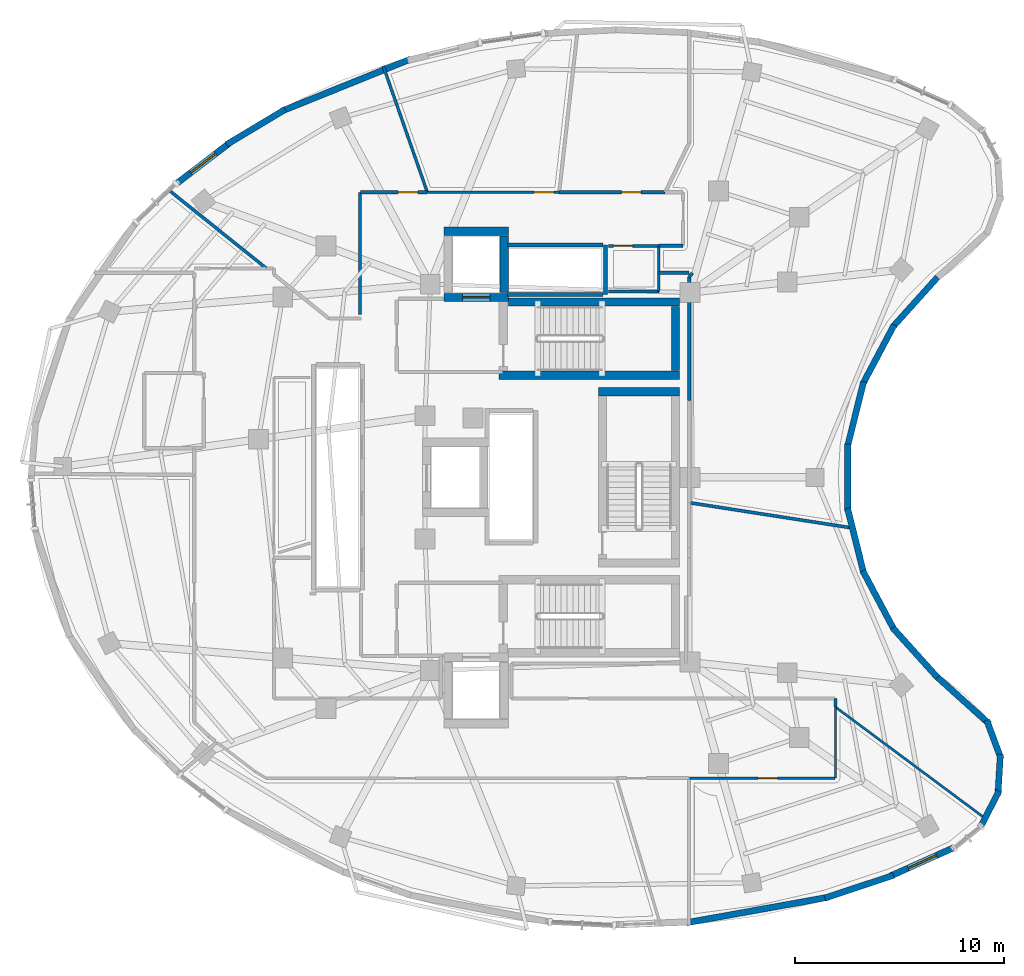
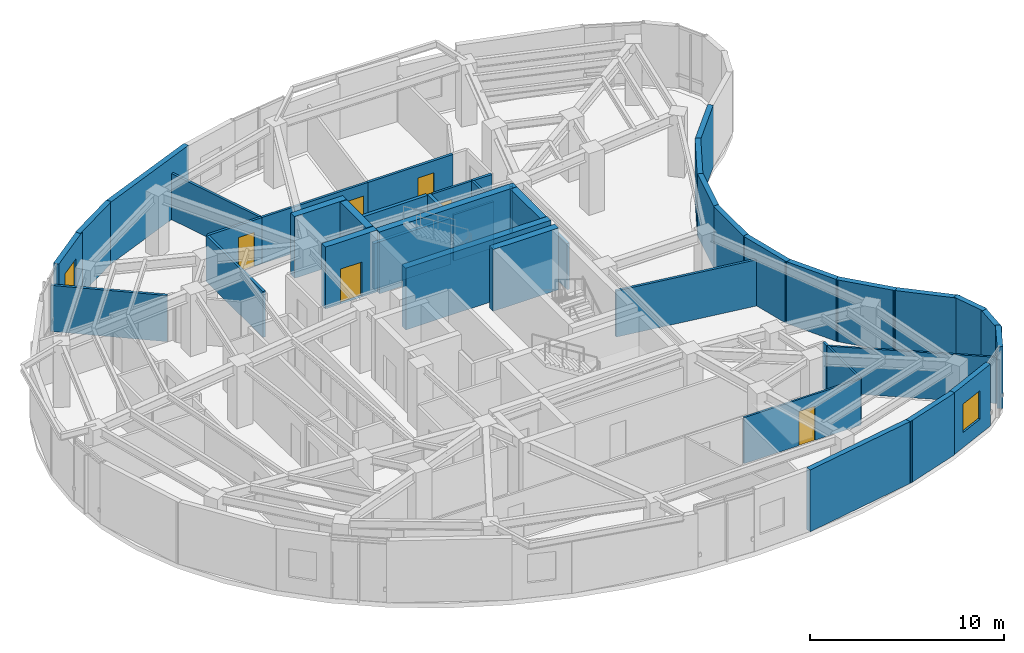
# One storey, part 9 of 13: 45 walls, 6 doors, 2 windows, 8 openings.
"""IFC4 building model written with IfcOpenShell, lengths in metres."""

from ifc_helpers import new_model, si_unit, direction, frame, frame_2d, origin, place, context, subcontext, project, spatial, rectangle, extrude, material, layer, layer_set, type_object, element, fill, save


model = new_model("IFC4")

# Units and contexts
model_context = context("Model", 3, precision=1e-05, world=origin(), true_north=direction((0.0, 1.0)))
body_context = subcontext(model_context, "Body", "Model", "MODEL_VIEW")
ifc_project = project(units=[si_unit("LENGTHUNIT", "METRE"), si_unit("AREAUNIT", "SQUARE_METRE"), si_unit("VOLUMEUNIT", "CUBIC_METRE"), si_unit("PLANEANGLEUNIT", "RADIAN"), si_unit("MASSUNIT", "GRAM", prefix="KILO")], contexts=[model_context])

# Site, building, storey
site_placement = place(None, origin())
site = spatial("IfcSite", under=ifc_project, at=site_placement, CompositionType="ELEMENT")
building_placement = place(site_placement, origin())
building = spatial("IfcBuilding", under=site, at=building_placement, Name="Korentha Bioscience Tower", CompositionType="ELEMENT")
storey_placement = place(building_placement, frame((0.0, 0.0, 243.60009765625)))
storey = spatial("IfcBuildingStorey", under=building, at=storey_placement, Name="L56", CompositionType="ELEMENT", Elevation=243.60009765625)

# Wall, opening, door
ifc_material_1 = material(Name="Double-Stud Acoustic Gypsum", Category="gypsum")
ifc_layer_1 = layer(ifc_material_1, 0.14990234375, Name="Double-Stud Acoustic Gypsum")
ifc_layer_set_1 = layer_set([ifc_layer_1], Name="Double-Stud Acoustic Gypsum (IW-L150)")
wall_type_1 = type_object("IfcWallType", Name="Acoustic Laboratory Partition Wall 150", PredefinedType="PARTITIONING", material=ifc_layer_set_1)
wall_1_placement = place(storey_placement, frame((36.34619140625, 40.659912109375, 0.0), z_axis=(0.0, 0.0, 1.0), x_axis=(-1.0, 0.0, 0.0)))
wall_1 = element("IfcWall", 1, at=wall_1_placement, inside=storey, type_object=wall_type_1, Name="L56 Immunology Flow-Cytometry Laboratory 08 Entrance Wall", PredefinedType="PARTITIONING", context=body_context, shape_type="SweptSolid", body=[
    extrude(rectangle(XDim=5.069580078125, YDim=0.14990234375, at=frame_2d((2.53466796875, 0.0))), origin(), (0.0, 0.0, 1.0), 2.909912109375),
])
opening_1_placement = place(wall_1_placement, frame((1.1396484375, 0.0, 0.0)))
opening_1 = element("IfcOpeningElement", 2, at=opening_1_placement, cuts=wall_1, Name="Opening ID-10R", PredefinedType="OPENING", context=body_context, shape_type="SweptSolid", body=[
    extrude(rectangle(XDim=0.949951171875, YDim=2.14990234375, at=frame_2d((0.47509765625, 1.074951171875))), frame((0.0, 0.08984375, 0.0), z_axis=(0.0, -1.0, 0.0), x_axis=(1.0, 0.0, 0.0)), (0.0, 0.0, 1.0), 0.1796875),
])
ifc_material_2 = material(Name="Phenolic Laminate Timber Core", Category="wood")
door_type_1 = type_object("IfcDoorType", Name="Laboratory Single Leaf Door 950x2150 Right", OperationType="SINGLE_SWING_RIGHT", PredefinedType="DOOR", material=ifc_material_2)
door_1_placement = place(opening_1_placement, origin())
door_1 = element("IfcDoor", 3, at=door_1_placement, inside=storey, type_object=door_type_1, Name="L56 Immunology Flow-Cytometry Laboratory 08 Door", OperationType="SINGLE_SWING_RIGHT", OverallHeight=2.14990234375, OverallWidth=0.949951171875, PredefinedType="DOOR", context=body_context, shape_type="SweptSolid", body=[
    extrude(rectangle(XDim=0.949951171875, YDim=2.14990234375, at=frame_2d((0.47509765625, 1.074951171875))), frame((0.0, 0.02490234375, 0.0), z_axis=(0.0, -1.0, 0.0), x_axis=(1.0, 0.0, 0.0)), (0.0, 0.0, 1.0), 0.050048828125),
])
fill(opening_1, door_1)

wall_2_placement = place(storey_placement, frame((24.9482421875, 40.659912109375, 0.0), z_axis=(0.0, 0.0, 1.0), x_axis=(-1.0, 0.0, 0.0)))
wall_2 = element("IfcWall", 4, at=wall_2_placement, inside=storey, type_object=wall_type_1, Name="L56 Lyophilization Freeze-Drying Room 10 Entrance Wall", PredefinedType="PARTITIONING", context=body_context, shape_type="SweptSolid", body=[
    extrude(rectangle(XDim=3.1982421875, YDim=0.14990234375, at=frame_2d((1.59912109375, 0.0))), origin(), (0.0, 0.0, 1.0), 2.909912109375),
])
opening_2_placement = place(wall_2_placement, frame((0.43701171875, 0.0, 0.0)))
opening_2 = element("IfcOpeningElement", 5, at=opening_2_placement, cuts=wall_2, Name="Opening ID-10R", PredefinedType="OPENING", context=body_context, shape_type="SweptSolid", body=[
    extrude(rectangle(XDim=0.949951171875, YDim=2.14990234375, at=frame_2d((0.47509765625, 1.074951171875))), frame((0.0, 0.08984375, 0.0), z_axis=(0.0, -1.0, 0.0), x_axis=(1.0, 0.0, 0.0)), (0.0, 0.0, 1.0), 0.1796875),
])
door_2_placement = place(opening_2_placement, origin())
door_2 = element("IfcDoor", 6, at=door_2_placement, inside=storey, type_object=door_type_1, Name="L56 Lyophilization Freeze-Drying Room 10 Door", OperationType="SINGLE_SWING_RIGHT", OverallHeight=2.14990234375, OverallWidth=0.949951171875, PredefinedType="DOOR", context=body_context, shape_type="SweptSolid", body=[
    extrude(rectangle(XDim=0.949951171875, YDim=2.14990234375, at=frame_2d((0.47509765625, 1.074951171875))), frame((0.0, 0.02490234375, 0.0), z_axis=(0.0, -1.0, 0.0), x_axis=(1.0, 0.0, 0.0)), (0.0, 0.0, 1.0), 0.050048828125),
])
fill(opening_2, door_2)

# Walls
wall_3_placement = place(storey_placement, frame((37.502197265625, 25.7900390625, 0.0), z_axis=(0.0, 0.0, 1.0), x_axis=(0.988150450313, -0.15348839548, 0.0)))
element("IfcWall", 7, at=wall_3_placement, inside=storey, type_object=wall_type_1, Name="L56 Interior Partition 044", PredefinedType="PARTITIONING", context=body_context, shape_type="SweptSolid", body=[
    extrude(rectangle(XDim=7.97216796875, YDim=0.14990234375, at=frame_2d((3.986083984375, 0.0))), origin(), (0.0, 0.0, 1.0), 2.909912109375),
])
wall_4_placement = place(storey_placement, frame((44.510009765625, 16.010009765625, 0.0), z_axis=(0.0, 0.0, 1.0), x_axis=(0.0, 1.0, 0.0)))
element("IfcWall", 8, at=wall_4_placement, inside=storey, type_object=wall_type_1, Name="L56 Interior Partition 045", PredefinedType="PARTITIONING", context=body_context, shape_type="SweptSolid", body=[
    extrude(rectangle(XDim=0.389892578125, YDim=0.14990234375, at=frame_2d((0.19482421875, 0.0))), origin(), (0.0, 0.0, 1.0), 2.909912109375),
])
wall_5_placement = place(storey_placement, frame((21.739990234375, 40.64990234375, 0.0), z_axis=(0.0, 0.0, 1.0), x_axis=(0.0, -1.0, 0.0)))
element("IfcWall", 9, at=wall_5_placement, inside=storey, type_object=wall_type_1, Name="L56 Interior Partition 057", PredefinedType="PARTITIONING", context=body_context, shape_type="SweptSolid", body=[
    extrude(rectangle(XDim=5.849853515625, YDim=0.14990234375, at=frame_2d((2.9248046875, 0.0))), origin(), (0.0, 0.0, 1.0), 2.909912109375),
])
wall_6_placement = place(storey_placement, frame((17.2529296875, 37.010009765625, 0.0), z_axis=(0.0, 0.0, 1.0), x_axis=(-0.779948830135, 0.625843288987, 0.0)))
element("IfcWall", 10, at=wall_6_placement, inside=storey, type_object=wall_type_1, Name="L56 Interior Partition 062", PredefinedType="PARTITIONING", context=body_context, shape_type="SweptSolid", body=[
    extrude(rectangle(XDim=6.08984375, YDim=0.14990234375, at=frame_2d((3.044921875, 0.0))), origin(), (0.0, 0.0, 1.0), 2.909912109375),
])

# Wall, opening, door
ifc_material_3 = material(Name="Insulated Aluminium Honeycomb Panel", Category="aluminium")
ifc_layer_2 = layer(ifc_material_3, 0.139892578125, Name="Insulated Aluminium Honeycomb Panel")
ifc_layer_set_2 = layer_set([ifc_layer_2], Name="Insulated Aluminium Honeycomb Panel (IW-F60)")
wall_type_2 = type_object("IfcWallType", Name="Cleanroom Flush Metal Panel Partition 140", PredefinedType="PARTITIONING", material=ifc_layer_set_2)
wall_7_placement = place(storey_placement, frame((31.2666015625, 40.659912109375, 0.0), z_axis=(0.0, 0.0, 1.0), x_axis=(-1.0, 0.0, 0.0)))
wall_7 = element("IfcWall", 11, at=wall_7_placement, inside=storey, type_object=wall_type_2, Name="L56 Vaccine Formulation Cleanroom 09 Entrance Wall", PredefinedType="PARTITIONING", context=body_context, shape_type="SweptSolid", body=[
    extrude(rectangle(XDim=6.307861328125, YDim=0.139892578125, at=frame_2d((3.15380859375, 0.0))), origin(), (0.0, 0.0, 1.0), 2.909912109375),
])
opening_3_placement = place(wall_7_placement, frame((0.239990234375, 0.0, 0.0)))
opening_3 = element("IfcOpeningElement", 12, at=opening_3_placement, cuts=wall_7, Name="Opening ID-10L", PredefinedType="OPENING", context=body_context, shape_type="SweptSolid", body=[
    extrude(rectangle(XDim=0.949951171875, YDim=2.14990234375, at=frame_2d((0.47509765625, 1.074951171875))), frame((0.0, 0.0849609375, 0.0), z_axis=(0.0, -1.0, 0.0), x_axis=(1.0, 0.0, 0.0)), (0.0, 0.0, 1.0), 0.169677734375),
])
door_type_2 = type_object("IfcDoorType", Name="Laboratory Single Leaf Door 950x2150 Left", OperationType="SINGLE_SWING_LEFT", PredefinedType="DOOR", material=ifc_material_2)
door_3_placement = place(opening_3_placement, origin())
door_3 = element("IfcDoor", 13, at=door_3_placement, inside=storey, type_object=door_type_2, Name="L56 Vaccine Formulation Cleanroom 09 Door", OperationType="SINGLE_SWING_LEFT", OverallHeight=2.14990234375, OverallWidth=0.949951171875, PredefinedType="DOOR", context=body_context, shape_type="SweptSolid", body=[
    extrude(rectangle(XDim=0.949951171875, YDim=2.14990234375, at=frame_2d((0.47509765625, 1.074951171875))), frame((0.0, 0.02490234375, 0.0), z_axis=(0.0, -1.0, 0.0), x_axis=(1.0, 0.0, 0.0)), (0.0, 0.0, 1.0), 0.050048828125),
])
fill(opening_3, door_3)

# Wall
wall_8_placement = place(storey_placement, frame((24.958740234375, 40.659912109375, 0.0), z_axis=(0.0, 0.0, 1.0), x_axis=(-0.329537269445, 0.944142567649, 0.0)))
element("IfcWall", 14, at=wall_8_placement, inside=storey, type_object=wall_type_2, Name="L56 Interior Partition 056", PredefinedType="PARTITIONING", context=body_context, shape_type="SweptSolid", body=[
    extrude(rectangle(XDim=6.406982421875, YDim=0.139892578125, at=frame_2d((3.20361328125, 0.0))), origin(), (0.0, 0.0, 1.0), 2.909912109375),
])

# Wall, opening, door
ifc_material_4 = material(Name="Fire-Rated Framed Glass", Category="glass")
ifc_layer_3 = layer(ifc_material_4, 0.110107421875, Name="Fire-Rated Framed Glass")
ifc_layer_set_3 = layer_set([ifc_layer_3], Name="Fire-Rated Framed Glass (IW-G110)")
wall_type_3 = type_object("IfcWallType", Name="Demountable Glazed Office Partition 110", PredefinedType="MOVABLE", material=ifc_layer_set_3)
wall_9_placement = place(storey_placement, frame((37.508056640625, 12.590087890625, 0.0), z_axis=(0.0, 0.0, 1.0), x_axis=(1.0, 0.0, 0.0)))
wall_9 = element("IfcWall", 15, at=wall_9_placement, inside=storey, type_object=wall_type_3, Name="L56 Grant Review Seminar Room 05 Entrance Wall", PredefinedType="MOVABLE", context=body_context, shape_type="SweptSolid", body=[
    extrude(rectangle(XDim=6.991943359375, YDim=0.110107421875, at=frame_2d((3.49609375, 0.0))), origin(), (0.0, 0.0, 1.0), 2.909912109375),
])
opening_4_placement = place(wall_9_placement, frame((3.28369140625, 0.0, 0.0)))
opening_4 = element("IfcOpeningElement", 16, at=opening_4_placement, cuts=wall_9, Name="Opening ID-10L", PredefinedType="OPENING", context=body_context, shape_type="SweptSolid", body=[
    extrude(rectangle(XDim=0.949951171875, YDim=2.14990234375, at=frame_2d((0.47509765625, 1.074951171875))), frame((0.0, 0.06982421875, 0.0), z_axis=(0.0, -1.0, 0.0), x_axis=(1.0, 0.0, 0.0)), (0.0, 0.0, 1.0), 0.139892578125),
])
door_4_placement = place(opening_4_placement, origin())
door_4 = element("IfcDoor", 17, at=door_4_placement, inside=storey, type_object=door_type_2, Name="L56 Grant Review Seminar Room 05 Door", OperationType="SINGLE_SWING_LEFT", OverallHeight=2.14990234375, OverallWidth=0.949951171875, PredefinedType="DOOR", context=body_context, shape_type="SweptSolid", body=[
    extrude(rectangle(XDim=0.949951171875, YDim=2.14990234375, at=frame_2d((0.47509765625, 1.074951171875))), frame((0.0, 0.02490234375, 0.0), z_axis=(0.0, -1.0, 0.0), x_axis=(1.0, 0.0, 0.0)), (0.0, 0.0, 1.0), 0.050048828125),
])
fill(opening_4, door_4)

# Walls
wall_10_placement = place(storey_placement, frame((44.510009765625, 12.60009765625, 0.0), z_axis=(0.0, 0.0, 1.0), x_axis=(0.0, 1.0, 0.0)))
element("IfcWall", 18, at=wall_10_placement, inside=storey, type_object=wall_type_3, Name="L56 Interior Partition 037", PredefinedType="MOVABLE", context=body_context, shape_type="SweptSolid", body=[
    extrude(rectangle(XDim=3.39990234375, YDim=0.110107421875, at=frame_2d((1.699951171875, 0.0))), origin(), (0.0, 0.0, 1.0), 2.909912109375),
])
wall_11_placement = place(storey_placement, frame((44.510009765625, 16.0, 0.0), z_axis=(0.0, 0.0, 1.0), x_axis=(0.802375580178, -0.596819426907, 0.0)))
element("IfcWall", 19, at=wall_11_placement, inside=storey, type_object=wall_type_3, Name="L56 Interior Partition 038", PredefinedType="MOVABLE", context=body_context, shape_type="SweptSolid", body=[
    extrude(rectangle(XDim=9.052734375, YDim=0.110107421875, at=frame_2d((4.5263671875, 0.0))), origin(), (0.0, 0.0, 1.0), 2.909912109375),
])
ifc_material_5 = material(Name="Gypsum-Clad Steel Stud", Category="steel")
ifc_layer_4 = layer(ifc_material_5, 0.159912109375, Name="Gypsum-Clad Steel Stud")
ifc_layer_set_4 = layer_set([ifc_layer_4], Name="Gypsum-Clad Steel Stud (IW-C160)")
wall_type_4 = type_object("IfcWallType", Name="Fire-Rated Corridor Partition Wall 160", PredefinedType="PARTITIONING", material=ifc_layer_set_4)
wall_12_placement = place(storey_placement, frame((37.501953125, 30.676025390625, 0.0), z_axis=(0.0, 0.0, 1.0), x_axis=(0.0, 1.0, 0.0)))
element("IfcWall", 20, at=wall_12_placement, inside=storey, type_object=wall_type_4, Name="L56 Interior Partition 049", PredefinedType="PARTITIONING", context=body_context, shape_type="SweptSolid", body=[
    extrude(rectangle(XDim=5.92431640625, YDim=0.159912109375, at=frame_2d((2.962158203125, 0.0))), origin(), (0.0, 0.0, 1.0), 2.909912109375),
])
wall_13_placement = place(storey_placement, frame((37.502197265625, 36.6005859375, 0.0), z_axis=(0.0, 0.0, 1.0), x_axis=(0.629198228668, 0.777244870707, 0.0)))
element("IfcWall", 21, at=wall_13_placement, inside=storey, type_object=wall_type_4, Name="L56 Interior Partition 050", PredefinedType="PARTITIONING", context=body_context, shape_type="SweptSolid", body=[
    extrude(rectangle(XDim=0.250732421875, YDim=0.159912109375, at=frame_2d((0.12548828125, 0.0))), origin(), (0.0, 0.0, 1.0), 2.909912109375),
])
wall_14_placement = place(storey_placement, frame((37.497802734375, 36.802001953125, 0.0), z_axis=(0.0, 0.0, 1.0), x_axis=(-1.0, 0.0, 0.0)))
element("IfcWall", 22, at=wall_14_placement, inside=storey, type_object=wall_type_4, Name="L56 Interior Partition 051", PredefinedType="PARTITIONING", context=body_context, shape_type="SweptSolid", body=[
    extrude(rectangle(XDim=1.437744140625, YDim=0.159912109375, at=frame_2d((0.71875, 0.0))), origin(), (0.0, 0.0, 1.0), 2.909912109375),
])
wall_15_placement = place(storey_placement, frame((36.06005859375, 38.090087890625, 0.0), z_axis=(0.0, 0.0, 1.0), x_axis=(1.0, 0.0, 0.0)))
element("IfcWall", 23, at=wall_15_placement, inside=storey, type_object=wall_type_4, Name="L56 Interior Partition 052", PredefinedType="PARTITIONING", context=body_context, shape_type="SweptSolid", body=[
    extrude(rectangle(XDim=1.139892578125, YDim=0.159912109375, at=frame_2d((0.56982421875, 0.0))), origin(), (0.0, 0.0, 1.0), 2.909912109375),
])

# Wall, opening, window
ifc_material_6 = material(Name="Honed Limestone Precast Concrete C40", Category="masonry")
ifc_layer_5 = layer(ifc_material_6, 0.300048828125, Name="Honed Limestone Precast Concrete C40")
ifc_layer_set_5 = layer_set([ifc_layer_5], Name="Honed Limestone Precast Concrete C40 (EW-ST300)")
wall_type_5 = type_object("IfcWallType", Name="Honed Limestone Cavity Spandrel Wall 300", PredefinedType="STANDARD", material=ifc_layer_set_5)
wall_16_placement = place(storey_placement, frame((15.476806640625, 43.0126953125, 0.0), z_axis=(0.0, 0.0, 1.0), x_axis=(-0.794379815394, -0.607421360255, 0.0)))
wall_16 = element("IfcWall", 24, at=wall_16_placement, inside=storey, type_object=wall_type_5, Name="L56 Honed Limestone Spandrel Wall 12", PredefinedType="STANDARD", context=body_context, shape_type="SweptSolid", body=[
    extrude(rectangle(XDim=3.15234375, YDim=0.300048828125, at=frame_2d((1.576171875, 0.0))), origin(), (0.0, 0.0, 1.0), 3.89990234375),
])
opening_5_placement = place(wall_16_placement, frame((0.826171875, 0.0, 0.949951171875)))
opening_5 = element("IfcOpeningElement", 25, at=opening_5_placement, cuts=wall_16, Name="Opening WN-02", PredefinedType="OPENING", context=body_context, shape_type="SweptSolid", body=[
    extrude(rectangle(XDim=1.5, YDim=1.800048828125, at=frame_2d((0.75, 0.89990234375))), frame((0.0, 0.1650390625, 0.0), z_axis=(0.0, -1.0, 0.0), x_axis=(1.0, 0.0, 0.0)), (0.0, 0.0, 1.0), 0.329833984375),
])
ifc_material_7 = material(Name="Thermally Broken Aluminium Triple Glazing", Category="aluminium")
window_type = type_object("IfcWindowType", Name="Acoustic Operable Office Window 1500x1800", PartitioningType="DOUBLE_PANEL_VERTICAL", PredefinedType="WINDOW", material=ifc_material_7)
window_1_placement = place(opening_5_placement, origin())
window_1 = element("IfcWindow", 26, at=window_1_placement, inside=storey, type_object=window_type, Name="L56 Facade Window 12", OverallHeight=1.800048828125, OverallWidth=1.5, PartitioningType="DOUBLE_PANEL_VERTICAL", PredefinedType="WINDOW", context=body_context, shape_type="SweptSolid", body=[
    extrude(rectangle(XDim=1.5, YDim=1.800048828125, at=frame_2d((0.75, 0.89990234375))), frame((0.0, 0.030029296875, 0.0), z_axis=(0.0, -1.0, 0.0), x_axis=(1.0, 0.0, 0.0)), (0.0, 0.0, 1.0), 0.06005859375),
])
fill(opening_5, window_1)

wall_17_placement = place(storey_placement, frame((47.14404296875, 7.900146484375, 0.0), z_axis=(0.0, 0.0, 1.0), x_axis=(0.912628527323, 0.40878988627, 0.0)))
wall_17 = element("IfcWall", 27, at=wall_17_placement, inside=storey, type_object=wall_type_5, Name="L56 Honed Limestone Spandrel Wall 36", PredefinedType="STANDARD", context=body_context, shape_type="SweptSolid", body=[
    extrude(rectangle(XDim=3.346923828125, YDim=0.300048828125, at=frame_2d((1.67333984375, 0.0))), origin(), (0.0, 0.0, 1.0), 3.89990234375),
])
opening_6_placement = place(wall_17_placement, frame((0.923583984375, 0.0, 0.949951171875)))
opening_6 = element("IfcOpeningElement", 28, at=opening_6_placement, cuts=wall_17, Name="Opening WN-02", PredefinedType="OPENING", context=body_context, shape_type="SweptSolid", body=[
    extrude(rectangle(XDim=1.5, YDim=1.800048828125, at=frame_2d((0.75, 0.89990234375))), frame((0.0, 0.1650390625, 0.0), z_axis=(0.0, -1.0, 0.0), x_axis=(1.0, 0.0, 0.0)), (0.0, 0.0, 1.0), 0.329833984375),
])
window_2_placement = place(opening_6_placement, origin())
window_2 = element("IfcWindow", 29, at=window_2_placement, inside=storey, type_object=window_type, Name="L56 Facade Window 36", OverallHeight=1.800048828125, OverallWidth=1.5, PartitioningType="DOUBLE_PANEL_VERTICAL", PredefinedType="WINDOW", context=body_context, shape_type="SweptSolid", body=[
    extrude(rectangle(XDim=1.5, YDim=1.800048828125, at=frame_2d((0.75, 0.89990234375))), frame((0.0, 0.030029296875, 0.0), z_axis=(0.0, -1.0, 0.0), x_axis=(1.0, 0.0, 0.0)), (0.0, 0.0, 1.0), 0.06005859375),
])
fill(opening_6, window_2)

# Walls
wall_18_placement = place(storey_placement, frame((24.169677734375, 47.044921875, 0.0), z_axis=(0.0, 0.0, 1.0), x_axis=(-0.927372969182, -0.374138177725, 0.0)))
element("IfcWall", 30, at=wall_18_placement, inside=storey, type_object=wall_type_5, Name="L56 Limestone Perimeter Closure Wall 09", PredefinedType="STANDARD", context=body_context, shape_type="SweptSolid", body=[
    extrude(rectangle(XDim=6.660400390625, YDim=0.300048828125, at=frame_2d((3.330078125, 0.0))), origin(), (0.0, 0.0, 1.0), 3.89990234375),
])
wall_19_placement = place(storey_placement, frame((18.1552734375, 44.6337890625, 0.0), z_axis=(0.0, 0.0, 1.0), x_axis=(-0.857525678966, -0.514441162732, 0.0)))
element("IfcWall", 31, at=wall_19_placement, inside=storey, type_object=wall_type_5, Name="L56 Limestone Perimeter Closure Wall 11", PredefinedType="STANDARD", context=body_context, shape_type="SweptSolid", body=[
    extrude(rectangle(XDim=3.288330078125, YDim=0.300048828125, at=frame_2d((1.64404296875, 0.0))), origin(), (0.0, 0.0, 1.0), 3.89990234375),
])
wall_20_placement = place(storey_placement, frame((37.385009765625, 5.666015625, 0.0), z_axis=(0.0, 0.0, 1.0), x_axis=(0.984214602488, 0.176979140719, 0.0)))
element("IfcWall", 32, at=wall_20_placement, inside=storey, type_object=wall_type_5, Name="L56 Limestone Perimeter Closure Wall 33", PredefinedType="STANDARD", context=body_context, shape_type="SweptSolid", body=[
    extrude(rectangle(XDim=6.909912109375, YDim=0.300048828125, at=frame_2d((3.455078125, 0.0))), origin(), (0.0, 0.0, 1.0), 3.89990234375),
])
wall_21_placement = place(storey_placement, frame((44.01171875, 6.8447265625, 0.0), z_axis=(0.0, 0.0, 1.0), x_axis=(0.948915825892, 0.315529325692, 0.0)))
element("IfcWall", 33, at=wall_21_placement, inside=storey, type_object=wall_type_5, Name="L56 Limestone Perimeter Closure Wall 35", PredefinedType="STANDARD", context=body_context, shape_type="SweptSolid", body=[
    extrude(rectangle(XDim=3.4609375, YDim=0.300048828125, at=frame_2d((1.73046875, 0.0))), origin(), (0.0, 0.0, 1.0), 3.89990234375),
])
wall_22_placement = place(storey_placement, frame((51.45263671875, 10.227783203125, 0.0), z_axis=(0.0, 0.0, 1.0), x_axis=(0.45760880089, 0.889153634277, 0.0)))
element("IfcWall", 34, at=wall_22_placement, inside=storey, type_object=wall_type_5, Name="L56 Limestone Perimeter Closure Wall 38", PredefinedType="STANDARD", context=body_context, shape_type="SweptSolid", body=[
    extrude(rectangle(XDim=1.967041015625, YDim=0.300048828125, at=frame_2d((0.9833984375, 0.0))), origin(), (0.0, 0.0, 1.0), 3.89990234375),
])
for number, where, z_axis, x_axis, name in (
    (35, (52.2958984375, 11.770263671875, 0.0), (0.0, 0.0, 1.0), (0.060191547909, 0.998186845015, 0.0), "L56 Limestone Perimeter Closure Wall 39"),
    (36, (52.44580078125, 13.521728515625, 0.0), (0.0, 0.0, 1.0), (-0.347476023118, 0.9376888681, 0.0), "L56 Limestone Perimeter Closure Wall 40"),
):
    element("IfcWall", number, at=place(storey_placement, frame(where, z_axis=z_axis, x_axis=x_axis)), inside=storey, type_object=wall_type_5, Name=name, PredefinedType="STANDARD", context=body_context, shape_type="SweptSolid", body=[
        extrude(rectangle(XDim=1.96728515625, YDim=0.300048828125, at=frame_2d((0.983642578125, 0.0))), origin(), (0.0, 0.0, 1.0), 3.89990234375),
    ])
wall_23_placement = place(storey_placement, frame((51.886962890625, 15.1826171875, 0.0), z_axis=(0.0, 0.0, 1.0), x_axis=(-0.742603888691, 0.669730889612, 0.0)))
element("IfcWall", 37, at=wall_23_placement, inside=storey, type_object=wall_type_5, Name="L56 Limestone Perimeter Closure Wall 41", PredefinedType="STANDARD", context=body_context, shape_type="SweptSolid", body=[
    extrude(rectangle(XDim=3.484130859375, YDim=0.300048828125, at=frame_2d((1.7421875, 0.0))), origin(), (0.0, 0.0, 1.0), 3.89990234375),
])
wall_24_placement = place(storey_placement, frame((49.40234375, 17.413330078125, 0.0), z_axis=(0.0, 0.0, 1.0), x_axis=(-0.669137170675, 0.743138914888, 0.0)))
element("IfcWall", 38, at=wall_24_placement, inside=storey, type_object=wall_type_5, Name="L56 Limestone Perimeter Closure Wall 43", PredefinedType="STANDARD", context=body_context, shape_type="SweptSolid", body=[
    extrude(rectangle(XDim=3.206787109375, YDim=0.300048828125, at=frame_2d((1.603515625, 0.0))), origin(), (0.0, 0.0, 1.0), 3.89990234375),
])
for number, where, z_axis, x_axis, name in (
    (39, (47.328125, 19.694091796875, 0.0), (0.0, 0.0, 1.0), (-0.469457656924, 0.882954986596, 0.0), "L56 Limestone Perimeter Closure Wall 45"),
    (40, (45.867431640625, 22.4091796875, 0.0), (0.0, 0.0, 1.0), (-0.241890637233, 0.970303519327, 0.0), "L56 Limestone Perimeter Closure Wall 47"),
    (41, (45.10693359375, 25.396728515625, 0.0), (0.0, 0.0, 1.0), (0.0, 1.0, 0.0), "L56 Limestone Perimeter Closure Wall 49"),
    (42, (45.091796875, 28.4794921875, 0.0), (0.0, 0.0, 1.0), (0.241890637233, 0.970303519327, 0.0), "L56 Limestone Perimeter Closure Wall 51"),
    (43, (45.82275390625, 31.474609375, 0.0), (0.0, 0.0, 1.0), (0.469457656924, 0.882954986596, 0.0), "L56 Limestone Perimeter Closure Wall 53"),
):
    element("IfcWall", number, at=place(storey_placement, frame(where, z_axis=z_axis, x_axis=x_axis)), inside=storey, type_object=wall_type_5, Name=name, PredefinedType="STANDARD", context=body_context, shape_type="SweptSolid", body=[
        extrude(rectangle(XDim=3.20654296875, YDim=0.300048828125, at=frame_2d((1.603271484375, 0.0))), origin(), (0.0, 0.0, 1.0), 3.89990234375),
    ])
wall_25_placement = place(storey_placement, frame((47.256591796875, 34.20361328125, 0.0), z_axis=(0.0, 0.0, 1.0), x_axis=(0.669137170675, 0.743138914888, 0.0)))
element("IfcWall", 44, at=wall_25_placement, inside=storey, type_object=wall_type_5, Name="L56 Limestone Perimeter Closure Wall 55", PredefinedType="STANDARD", context=body_context, shape_type="SweptSolid", body=[
    extrude(rectangle(XDim=3.206787109375, YDim=0.300048828125, at=frame_2d((1.603515625, 0.0))), origin(), (0.0, 0.0, 1.0), 3.89990234375),
])
ifc_material_8 = material(Name="Autoclaved Aerated Concrete Block C25", Category="concrete")
ifc_layer_6 = layer(ifc_material_8, 0.199951171875, Name="Autoclaved Aerated Concrete Block C25")
ifc_layer_set_6 = layer_set([ifc_layer_6], Name="Autoclaved Aerated Concrete Block C25 (IW-S200)")
wall_type_6 = type_object("IfcWallType", Name="Lift and Riser Shaft Enclosure Wall 200", PredefinedType="PARTITIONING", material=ifc_layer_set_6)
wall_26_placement = place(storey_placement, frame((33.489990234375, 35.760009765625, 0.0), z_axis=(0.0, 0.0, 1.0), x_axis=(0.0, 1.0, 0.0)))
element("IfcWall", 45, at=wall_26_placement, inside=storey, type_object=wall_type_6, Name="L56 Lift Bank OBS Shaft Wall +X", PredefinedType="PARTITIONING", context=body_context, shape_type="SweptSolid", body=[
    extrude(rectangle(XDim=2.3798828125, YDim=0.199951171875, at=frame_2d((1.18994140625, 0.0))), origin(), (0.0, 0.0, 1.0), 2.909912109375),
])
for number, where, z_axis, x_axis, name in (
    (46, (28.800048828125, 35.760009765625, 0.0), (0.0, 0.0, 1.0), (1.0, 0.0, 0.0), "L56 Lift Bank OBS Shaft Wall -Y"),
    (47, (28.800048828125, 38.139892578125, 0.0), (0.0, 0.0, 1.0), (1.0, 0.0, 0.0), "L56 Lift Bank OBS Shaft Wall +Y"),
):
    element("IfcWall", number, at=place(storey_placement, frame(where, z_axis=z_axis, x_axis=x_axis)), inside=storey, type_object=wall_type_6, Name=name, PredefinedType="PARTITIONING", context=body_context, shape_type="SweptSolid", body=[
        extrude(rectangle(XDim=4.570068359375, YDim=0.199951171875, at=frame_2d((2.28515625, 0.0))), origin(), (0.0, 0.0, 1.0), 2.909912109375),
    ])
ifc_material_9 = material(Name="Concrete C65", Category="concrete")
ifc_layer_7 = layer(ifc_material_9, 0.39990234375, Name="Concrete C65")
ifc_layer_set_7 = layer_set([ifc_layer_7], Name="Concrete C65 (CW-C65)")
wall_type_7 = type_object("IfcWallType", Name="Mid-Rise Core Shear Wall 400", PredefinedType="SHEAR", material=ifc_layer_set_7)
wall_27_placement = place(storey_placement, frame((28.85205078125, 35.39990234375, 0.0), z_axis=(0.0, 0.0, 1.0), x_axis=(1.0, 0.0, 0.0)))
element("IfcWall", 48, at=wall_27_placement, inside=storey, type_object=wall_type_7, Name="L56 Core Shear Wall ST1-N", PredefinedType="SHEAR", context=body_context, shape_type="SweptSolid", body=[
    extrude(rectangle(XDim=8.197998046875, YDim=0.39990234375, at=frame_2d((4.09912109375, 0.0))), origin(), (0.0, 0.0, 1.0), 3.89990234375),
])
wall_28_placement = place(storey_placement, frame((28.39990234375, 31.89990234375, 0.0), z_axis=(0.0, 0.0, 1.0), x_axis=(1.0, 0.0, 0.0)))
element("IfcWall", 49, at=wall_28_placement, inside=storey, type_object=wall_type_7, Name="L56 Core Shear Wall ST1-S", PredefinedType="SHEAR", context=body_context, shape_type="SweptSolid", body=[
    extrude(rectangle(XDim=8.650146484375, YDim=0.39990234375, at=frame_2d((4.3251953125, 0.0))), origin(), (0.0, 0.0, 1.0), 3.89990234375),
])
wall_29_placement = place(storey_placement, frame((36.85009765625, 32.110107421875, 0.0), z_axis=(0.0, 0.0, 1.0), x_axis=(0.0, 1.0, 0.0)))
element("IfcWall", 50, at=wall_29_placement, inside=storey, type_object=wall_type_7, Name="L56 Core Shear Wall ST1-E", PredefinedType="SHEAR", context=body_context, shape_type="SweptSolid", body=[
    extrude(rectangle(XDim=3.079833984375, YDim=0.39990234375, at=frame_2d((1.5400390625, 0.0))), origin(), (0.0, 0.0, 1.0), 3.89990234375),
])
wall_30_placement = place(storey_placement, frame((33.14990234375, 31.10009765625, 0.0), z_axis=(0.0, 0.0, 1.0), x_axis=(1.0, 0.0, 0.0)))
element("IfcWall", 51, at=wall_30_placement, inside=storey, type_object=wall_type_7, Name="L56 Core Shear Wall ST3-N", PredefinedType="SHEAR", context=body_context, shape_type="SweptSolid", body=[
    extrude(rectangle(XDim=3.900146484375, YDim=0.39990234375, at=frame_2d((1.9501953125, 0.0))), origin(), (0.0, 0.0, 1.0), 3.89990234375),
])
wall_31_placement = place(storey_placement, frame((25.75, 38.800048828125, 0.0), z_axis=(0.0, 0.0, 1.0), x_axis=(1.0, 0.0, 0.0)))
element("IfcWall", 52, at=wall_31_placement, inside=storey, type_object=wall_type_7, Name="L56 Core Shear Wall FFL2-N", PredefinedType="SHEAR", context=body_context, shape_type="SweptSolid", body=[
    extrude(rectangle(XDim=3.10009765625, YDim=0.39990234375, at=frame_2d((1.550048828125, 0.0))), origin(), (0.0, 0.0, 1.0), 3.89990234375),
])

# Wall, opening, door
wall_32_placement = place(storey_placement, frame((25.75, 35.6201171875, 0.0), z_axis=(0.0, 0.0, 1.0), x_axis=(1.0, 0.0, 0.0)))
wall_32 = element("IfcWall", 53, at=wall_32_placement, inside=storey, type_object=wall_type_7, Name="L56 Core Shear Wall FFL2-S", PredefinedType="SHEAR", context=body_context, shape_type="SweptSolid", body=[
    extrude(rectangle(XDim=3.10009765625, YDim=0.39990234375, at=frame_2d((1.550048828125, 0.0))), origin(), (0.0, 0.0, 1.0), 3.89990234375),
])
opening_7_placement = place(wall_32_placement, frame((0.89990234375, 0.0, 0.0)))
opening_7 = element("IfcOpeningElement", 54, at=opening_7_placement, cuts=wall_32, Name="Opening LD-13", PredefinedType="OPENING", context=body_context, shape_type="SweptSolid", body=[
    extrude(rectangle(XDim=1.300048828125, YDim=2.199951171875, at=frame_2d((0.64990234375, 1.10009765625))), frame((0.0, 0.21484375, 0.0), z_axis=(0.0, -1.0, 0.0), x_axis=(1.0, 0.0, 0.0)), (0.0, 0.0, 1.0), 0.4296875),
])
ifc_material_10 = material(Name="Brushed Stainless Steel 316", Category="steel")
door_type_3 = type_object("IfcDoorType", Name="Service & Firefighting Lift Landing Door 1300x2300", OperationType="DOUBLE_DOOR_SLIDING", PredefinedType="DOOR", material=ifc_material_10)
door_5_placement = place(opening_7_placement, origin())
door_5 = element("IfcDoor", 55, at=door_5_placement, inside=storey, type_object=door_type_3, Name="L56 FFL-2 Sliding Lift Landing Door", OperationType="DOUBLE_DOOR_SLIDING", OverallHeight=2.199951171875, OverallWidth=1.300048828125, PredefinedType="DOOR", context=body_context, shape_type="SweptSolid", body=[
    extrude(rectangle(XDim=1.300048828125, YDim=2.199951171875, at=frame_2d((0.64990234375, 1.10009765625))), frame((0.0, 0.02490234375, 0.0), z_axis=(0.0, -1.0, 0.0), x_axis=(1.0, 0.0, 0.0)), (0.0, 0.0, 1.0), 0.050048828125),
])
fill(opening_7, door_5)

# Wall
wall_33_placement = place(storey_placement, frame((28.64990234375, 35.860107421875, 0.0), z_axis=(0.0, 0.0, 1.0), x_axis=(0.0, 1.0, 0.0)))
element("IfcWall", 56, at=wall_33_placement, inside=storey, type_object=wall_type_7, Name="L56 Core Shear Wall FFL2-E", PredefinedType="SHEAR", context=body_context, shape_type="SweptSolid", body=[
    extrude(rectangle(XDim=2.699951171875, YDim=0.39990234375, at=frame_2d((1.35009765625, 0.0))), origin(), (0.0, 0.0, 1.0), 3.89990234375),
])

# Wall, opening, door
ifc_material_11 = material(Name="Cement-Board Steel Stud", Category="steel")
ifc_layer_8 = layer(ifc_material_11, 0.1298828125, Name="Cement-Board Steel Stud")
ifc_layer_set_8 = layer_set([ifc_layer_8], Name="Cement-Board Steel Stud (IW-W130)")
wall_type_8 = type_object("IfcWallType", Name="Wet-Area Moisture-Resistant Partition 130", PredefinedType="PARTITIONING", material=ifc_layer_set_8)
wall_34_placement = place(storey_placement, frame((33.64990234375, 38.090087890625, 0.0), z_axis=(0.0, 0.0, 1.0), x_axis=(1.0, 0.0, 0.0)))
wall_34 = element("IfcWall", 57, at=wall_34_placement, inside=storey, type_object=wall_type_8, Name="L56 Accessible Staff WC Entrance Wall", PredefinedType="PARTITIONING", context=body_context, shape_type="SweptSolid", body=[
    extrude(rectangle(XDim=2.400146484375, YDim=0.1298828125, at=frame_2d((1.2001953125, 0.0))), origin(), (0.0, 0.0, 1.0), 2.909912109375),
])
opening_8_placement = place(wall_34_placement, frame((0.239990234375, 0.0, 0.0)))
opening_8 = element("IfcOpeningElement", 58, at=opening_8_placement, cuts=wall_34, Name="Opening ID-09L", PredefinedType="OPENING", context=body_context, shape_type="SweptSolid", body=[
    extrude(rectangle(XDim=0.89990234375, YDim=2.14990234375, at=frame_2d((0.449951171875, 1.074951171875))), frame((0.0, 0.079833984375, 0.0), z_axis=(0.0, -1.0, 0.0), x_axis=(1.0, 0.0, 0.0)), (0.0, 0.0, 1.0), 0.15966796875),
])
ifc_material_12 = material(Name="Moisture-Resistant HPL Leaf", Category="wood")
door_type_4 = type_object("IfcDoorType", Name="Restroom & Accessible WC Door 900x2150 Left", OperationType="SINGLE_SWING_LEFT", PredefinedType="DOOR", material=ifc_material_12)
door_6_placement = place(opening_8_placement, origin())
door_6 = element("IfcDoor", 59, at=door_6_placement, inside=storey, type_object=door_type_4, Name="L56 Accessible Staff WC Door", OperationType="SINGLE_SWING_LEFT", OverallHeight=2.14990234375, OverallWidth=0.89990234375, PredefinedType="DOOR", context=body_context, shape_type="SweptSolid", body=[
    extrude(rectangle(XDim=0.89990234375, YDim=2.14990234375, at=frame_2d((0.449951171875, 1.074951171875))), frame((0.0, 0.02490234375, 0.0), z_axis=(0.0, -1.0, 0.0), x_axis=(1.0, 0.0, 0.0)), (0.0, 0.0, 1.0), 0.050048828125),
])
fill(opening_8, door_6)

# Walls
wall_35_placement = place(storey_placement, frame((36.050048828125, 35.909912109375, 0.0), z_axis=(0.0, 0.0, 1.0), x_axis=(-1.0, 0.0, 0.0)))
element("IfcWall", 60, at=wall_35_placement, inside=storey, type_object=wall_type_8, Name="L56 Interior Partition 016", PredefinedType="PARTITIONING", context=body_context, shape_type="SweptSolid", body=[
    extrude(rectangle(XDim=2.400146484375, YDim=0.1298828125, at=frame_2d((1.2001953125, 0.0))), origin(), (0.0, 0.0, 1.0), 2.909912109375),
])
wall_36_placement = place(storey_placement, frame((36.050048828125, 38.090087890625, 0.0), z_axis=(0.0, 0.0, 1.0), x_axis=(0.0, -1.0, 0.0)))
element("IfcWall", 61, at=wall_36_placement, inside=storey, type_object=wall_type_8, Name="L56 Interior Partition 017", PredefinedType="PARTITIONING", context=body_context, shape_type="SweptSolid", body=[
    extrude(rectangle(XDim=2.18017578125, YDim=0.1298828125, at=frame_2d((1.090087890625, 0.0))), origin(), (0.0, 0.0, 1.0), 2.909912109375),
])

save(model, "model.ifc")
